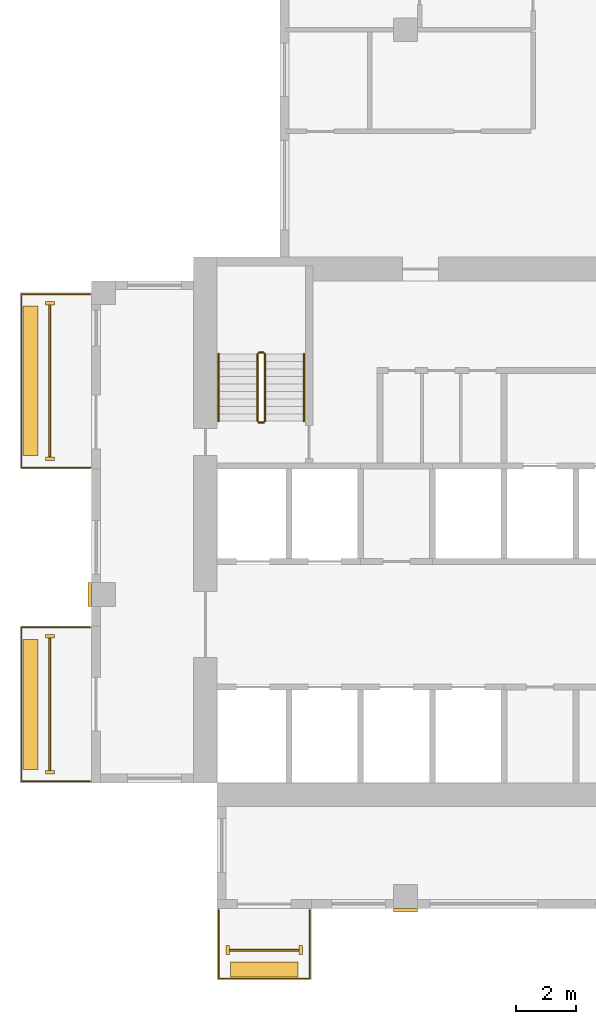
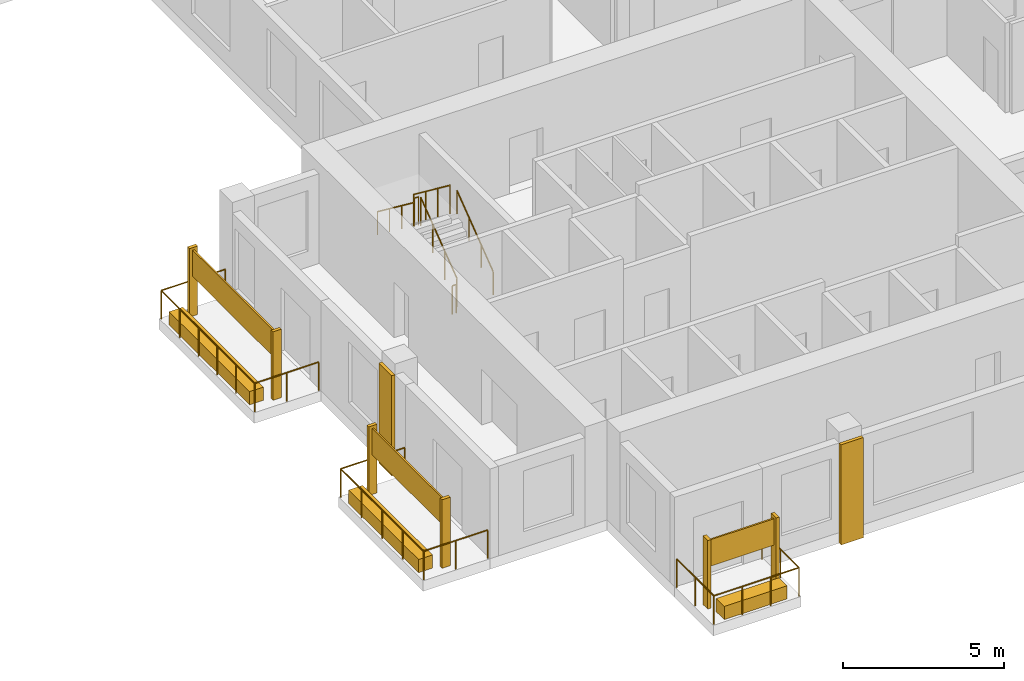
# One storey, part 9 of 11: 14 coverings, 9 railings.
"""IFC4 building model written with IfcOpenShell, lengths in metres."""

from ifc_helpers import new_model, si_unit, direction, frame, origin, origin_2d, place, context, subcontext, project, spatial, rectangle, circle, extrude, source, transform, mapped, material, type_object, element, save


model = new_model("IFC4")

# Units and contexts
model_context = context("Model", 3, precision=1e-05, world=origin(), true_north=direction((0.0, 1.0)))
body_context = subcontext(model_context, "Body", "Model", "MODEL_VIEW")
ifc_project = project(units=[si_unit("LENGTHUNIT", "METRE"), si_unit("AREAUNIT", "SQUARE_METRE"), si_unit("VOLUMEUNIT", "CUBIC_METRE"), si_unit("PLANEANGLEUNIT", "RADIAN"), si_unit("MASSUNIT", "GRAM", prefix="KILO")], contexts=[model_context])

# Site, building, storey
site_placement = place(None, origin())
site = spatial("IfcSite", under=ifc_project, at=site_placement, CompositionType="ELEMENT")
building_placement = place(site_placement, origin())
building = spatial("IfcBuilding", under=site, at=building_placement, Name="Aurelian Terraces", CompositionType="ELEMENT")
storey_placement = place(building_placement, frame((0.0, 0.0, 261.4)))
storey = spatial("IfcBuildingStorey", under=building, at=storey_placement, Name="L60", CompositionType="ELEMENT", Elevation=261.4)

# Coverings
ifc_material_1 = material(Name="Terracotta rainscreen cladding relief", Category="masonry")
covering_type_1 = type_object("IfcCoveringType", Name="FIN-TC", PredefinedType="CLADDING", material=ifc_material_1)
shared_shape_1 = source(origin(), body_context, "Body", "SweptSolid", [
    extrude(rectangle(XDim=0.3, YDim=0.12, at=origin_2d()), origin(), (0.0, 0.0, 1.0), 2.6),
])
for number, where, z_axis, x_axis, name in (
    (1, (-1.4, 20.25, 0.0), (0.0, 0.0, 1.0), (1.0, 0.0, 0.0), "FIN L60 L60-F24-37.1"),
    (2, (-1.4, 15.05, 0.0), (0.0, 0.0, 1.0), (1.0, 0.0, 0.0), "FIN L60 L60-F24-37.2"),
    (3, (-1.4, 9.1, 0.0), (0.0, 0.0, 1.0), (1.0, 0.0, 0.0), "FIN L60 L60-F24-39.1"),
    (4, (-1.4, 4.55, 0.0), (0.0, 0.0, 1.0), (1.0, 0.0, 0.0), "FIN L60 L60-F24-39.2"),
):
    element("IfcCovering", number, at=place(storey_placement, frame(where, z_axis=z_axis, x_axis=x_axis)), inside=storey, type_object=covering_type_1, Name=name, PredefinedType="CLADDING", context=body_context, shape_type="MappedRepresentation", body=[
        mapped(shared_shape_1, transform((0.0, 0.0, 0.0), scale=1.0)),
    ])
shared_shape_2 = source(origin(), body_context, "Body", "SweptSolid", [
    extrude(rectangle(XDim=0.12, YDim=0.3, at=origin_2d()), origin(), (0.0, 0.0, 1.0), 2.6),
])
for number, where, z_axis, x_axis, name in (
    (5, (4.55, -1.4, 0.0), (0.0, 0.0, 1.0), (1.0, 0.0, 0.0), "FIN L60 L60-F01-01.1"),
    (6, (7.0, -1.4, 0.0), (0.0, 0.0, 1.0), (1.0, 0.0, 0.0), "FIN L60 L60-F01-01.2"),
):
    element("IfcCovering", number, at=place(storey_placement, frame(where, z_axis=z_axis, x_axis=x_axis)), inside=storey, type_object=covering_type_1, Name=name, PredefinedType="CLADDING", context=body_context, shape_type="MappedRepresentation", body=[
        mapped(shared_shape_2, transform((0.0, 0.0, 0.0), scale=1.0)),
    ])

# Railing
ifc_material_2 = material(Name="Anodised aluminium", Category="aluminium")
railing_type_1 = type_object("IfcRailingType", Name="GUARD-1100", PredefinedType="GUARDRAIL", material=ifc_material_2)
shared_shape_3 = source(origin(), body_context, "Body", "SweptSolid", [
    extrude(circle(Radius=0.024, at=origin_2d()), frame((0.0, 0.0, 1.076), z_axis=(-1.0, 0.0, 0.0), x_axis=(0.0, -1.0, 0.0)), (0.0, 0.0, 1.0), 2.3),
    extrude(circle(Radius=0.024, at=origin_2d()), frame((-2.3, 0.0, 1.076), z_axis=(0.0, -1.0, 0.0), x_axis=(1.0, 0.0, 0.0)), (0.0, 0.0, 1.0), 5.15),
    extrude(circle(Radius=0.024, at=origin_2d()), frame((-2.3, -5.15, 1.076), z_axis=(1.0, 0.0, 0.0), x_axis=(0.0, 1.0, 0.0)), (0.0, 0.0, 1.0), 2.3),
    extrude(circle(Radius=0.021, at=origin_2d()), origin(), (0.0, 0.0, 1.0), 1.052),
    extrude(circle(Radius=0.021, at=origin_2d()), frame((-1.15, 0.0, 0.0)), (0.0, 0.0, 1.0), 1.052),
    extrude(circle(Radius=0.021, at=origin_2d()), frame((-2.3, 0.0, 0.0)), (0.0, 0.0, 1.0), 1.052),
    extrude(circle(Radius=0.021, at=origin_2d()), frame((-2.3, -1.2875, 0.0)), (0.0, 0.0, 1.0), 1.052),
    extrude(circle(Radius=0.021, at=origin_2d()), frame((-2.3, -2.575, 0.0)), (0.0, 0.0, 1.0), 1.052),
    extrude(circle(Radius=0.021, at=origin_2d()), frame((-2.3, -3.8625, 0.0)), (0.0, 0.0, 1.0), 1.052),
    extrude(circle(Radius=0.021, at=origin_2d()), frame((-2.3, -5.15, 0.0)), (0.0, 0.0, 1.0), 1.052),
    extrude(circle(Radius=0.021, at=origin_2d()), frame((-1.15, -5.15, 0.0)), (0.0, 0.0, 1.0), 1.052),
    extrude(circle(Radius=0.021, at=origin_2d()), frame((0.0, -5.15, 0.0)), (0.0, 0.0, 1.0), 1.052),
])
railing_1_placement = place(storey_placement, frame((-0.05, 9.4, 0.0)))
element("IfcRailing", 7, at=railing_1_placement, inside=storey, type_object=railing_type_1, Name="Balcony guard L60 F24.39", PredefinedType="GUARDRAIL", context=body_context, shape_type="MappedRepresentation", body=[
    mapped(shared_shape_3, transform((0.0, 0.0, 0.0), scale=1.0)),
])

# Coverings
ifc_material_3 = material(Name="Terracotta planter with planting soil", Category="masonry")
covering_type_2 = type_object("IfcCoveringType", Name="PLANTER-TROUGH", PredefinedType="USERDEFINED", material=ifc_material_3)
shared_shape_4 = source(origin(), body_context, "Body", "SweptSolid", [
    extrude(rectangle(XDim=0.5, YDim=4.35, at=origin_2d()), origin(), (0.0, 0.0, 1.0), 0.5),
])
covering_1_placement = place(storey_placement, frame((-2.05, 6.825, 0.0), z_axis=(0.0, 0.0, 1.0), x_axis=(1.0, 0.0, 0.0)))
element("IfcCovering", 8, at=covering_1_placement, inside=storey, type_object=covering_type_2, Name="PLANTER L60 L60-F24-39", ObjectType="PLANTER", PredefinedType="USERDEFINED", context=body_context, shape_type="MappedRepresentation", body=[
    mapped(shared_shape_4, transform((0.0, 0.0, 0.0), scale=1.0)),
])
ifc_material_4 = material(Name="Terracotta rainscreen cladding", Category="masonry")
covering_type_3 = type_object("IfcCoveringType", Name="SCREEN-TC", PredefinedType="CLADDING", material=ifc_material_4)
shared_shape_5 = source(origin(), body_context, "Body", "SweptSolid", [
    extrude(rectangle(XDim=0.06, YDim=4.43, at=origin_2d()), origin(), (0.0, 0.0, 1.0), 1.0),
])
covering_2_placement = place(storey_placement, frame((-1.4, 6.825, 1.5), z_axis=(0.0, 0.0, 1.0), x_axis=(1.0, 0.0, 0.0)))
element("IfcCovering", 9, at=covering_2_placement, inside=storey, type_object=covering_type_3, Name="SCREEN L60 L60-F24-39", PredefinedType="CLADDING", context=body_context, shape_type="MappedRepresentation", body=[
    mapped(shared_shape_5, transform((0.0, 0.0, 0.0), scale=1.0)),
])

# Railing
shared_shape_6 = source(origin(), body_context, "Body", "SweptSolid", [
    extrude(circle(Radius=0.024, at=origin_2d()), frame((0.0, 0.0, 1.076), z_axis=(0.0, -1.0, 0.0), x_axis=(1.0, 0.0, 0.0)), (0.0, 0.0, 1.0), 2.3),
    extrude(circle(Radius=0.024, at=origin_2d()), frame((0.0, -2.3, 1.076), z_axis=(1.0, 0.0, 0.0), x_axis=(0.0, 1.0, 0.0)), (0.0, 0.0, 1.0), 3.05),
    extrude(circle(Radius=0.024, at=origin_2d()), frame((3.05, -2.3, 1.076), z_axis=(0.0, 1.0, 0.0), x_axis=(-1.0, 0.0, 0.0)), (0.0, 0.0, 1.0), 2.3),
    extrude(circle(Radius=0.021, at=origin_2d()), origin(), (0.0, 0.0, 1.0), 1.052),
    extrude(circle(Radius=0.021, at=origin_2d()), frame((0.0, -1.15, 0.0)), (0.0, 0.0, 1.0), 1.052),
    extrude(circle(Radius=0.021, at=origin_2d()), frame((0.0, -2.3, 0.0)), (0.0, 0.0, 1.0), 1.052),
    extrude(circle(Radius=0.021, at=origin_2d()), frame((1.0167, -2.3, 0.0)), (0.0, 0.0, 1.0), 1.052),
    extrude(circle(Radius=0.021, at=origin_2d()), frame((2.0333, -2.3, 0.0)), (0.0, 0.0, 1.0), 1.052),
    extrude(circle(Radius=0.021, at=origin_2d()), frame((3.05, -2.3, 0.0)), (0.0, 0.0, 1.0), 1.052),
    extrude(circle(Radius=0.021, at=origin_2d()), frame((3.05, -1.15, 0.0)), (0.0, 0.0, 1.0), 1.052),
    extrude(circle(Radius=0.021, at=origin_2d()), frame((3.05, 0.0, 0.0)), (0.0, 0.0, 1.0), 1.052),
])
railing_2_placement = place(storey_placement, frame((4.25, -0.05, 0.0)))
element("IfcRailing", 10, at=railing_2_placement, inside=storey, type_object=railing_type_1, Name="Balcony guard L60 F01.1", PredefinedType="GUARDRAIL", context=body_context, shape_type="MappedRepresentation", body=[
    mapped(shared_shape_6, transform((0.0, 0.0, 0.0), scale=1.0)),
])

# Coverings
shared_shape_7 = source(origin(), body_context, "Body", "SweptSolid", [
    extrude(rectangle(XDim=2.25, YDim=0.5, at=origin_2d()), origin(), (0.0, 0.0, 1.0), 0.5),
])
covering_3_placement = place(storey_placement, frame((5.775, -2.05, 0.0), z_axis=(0.0, 0.0, 1.0), x_axis=(1.0, 0.0, 0.0)))
element("IfcCovering", 11, at=covering_3_placement, inside=storey, type_object=covering_type_2, Name="PLANTER L60 L60-F01-01", ObjectType="PLANTER", PredefinedType="USERDEFINED", context=body_context, shape_type="MappedRepresentation", body=[
    mapped(shared_shape_7, transform((0.0, 0.0, 0.0), scale=1.0)),
])
shared_shape_8 = source(origin(), body_context, "Body", "SweptSolid", [
    extrude(rectangle(XDim=2.33, YDim=0.06, at=origin_2d()), origin(), (0.0, 0.0, 1.0), 1.0),
])
covering_4_placement = place(storey_placement, frame((5.775, -1.4, 1.5), z_axis=(0.0, 0.0, 1.0), x_axis=(1.0, 0.0, 0.0)))
element("IfcCovering", 12, at=covering_4_placement, inside=storey, type_object=covering_type_3, Name="SCREEN L60 L60-F01-01", PredefinedType="CLADDING", context=body_context, shape_type="MappedRepresentation", body=[
    mapped(shared_shape_8, transform((0.0, 0.0, 0.0), scale=1.0)),
])
covering_type_4 = type_object("IfcCoveringType", Name="BAGUETTE-TC", PredefinedType="CLADDING", material=ifc_material_1)
shared_shape_9 = source(origin(), body_context, "Body", "SweptSolid", [
    extrude(rectangle(XDim=0.8, YDim=0.12, at=origin_2d()), origin(), (0.0, 0.0, 1.0), 3.8),
])
covering_5_placement = place(storey_placement, frame((10.5, -0.06, -0.4), z_axis=(0.0, 0.0, 1.0), x_axis=(1.0, 0.0, 0.0)))
element("IfcCovering", 13, at=covering_5_placement, inside=storey, type_object=covering_type_4, Name="BAGUETTE pier L60 1", PredefinedType="CLADDING", context=body_context, shape_type="MappedRepresentation", body=[
    mapped(shared_shape_9, transform((0.0, 0.0, 0.0), scale=1.0)),
])
shared_shape_10 = source(origin(), body_context, "Body", "SweptSolid", [
    extrude(rectangle(XDim=0.12, YDim=0.8, at=origin_2d()), origin(), (0.0, 0.0, 1.0), 3.8),
])
covering_6_placement = place(storey_placement, frame((-0.06, 10.5, -0.4), z_axis=(0.0, 0.0, 1.0), x_axis=(1.0, 0.0, 0.0)))
element("IfcCovering", 14, at=covering_6_placement, inside=storey, type_object=covering_type_4, Name="BAGUETTE pier L60 3", PredefinedType="CLADDING", context=body_context, shape_type="MappedRepresentation", body=[
    mapped(shared_shape_10, transform((0.0, 0.0, 0.0), scale=1.0)),
])

# Railing
shared_shape_11 = source(origin(), body_context, "Body", "SweptSolid", [
    extrude(circle(Radius=0.024, at=origin_2d()), frame((0.0, 0.0, 1.076), z_axis=(-1.0, 0.0, 0.0), x_axis=(0.0, -1.0, 0.0)), (0.0, 0.0, 1.0), 2.3),
    extrude(circle(Radius=0.024, at=origin_2d()), frame((-2.3, 0.0, 1.076), z_axis=(0.0, -1.0, 0.0), x_axis=(1.0, 0.0, 0.0)), (0.0, 0.0, 1.0), 5.8),
    extrude(circle(Radius=0.024, at=origin_2d()), frame((-2.3, -5.8, 1.076), z_axis=(1.0, 0.0, 0.0), x_axis=(0.0, 1.0, 0.0)), (0.0, 0.0, 1.0), 2.3),
    extrude(circle(Radius=0.021, at=origin_2d()), origin(), (0.0, 0.0, 1.0), 1.052),
    extrude(circle(Radius=0.021, at=origin_2d()), frame((-1.15, 0.0, 0.0)), (0.0, 0.0, 1.0), 1.052),
    extrude(circle(Radius=0.021, at=origin_2d()), frame((-2.3, 0.0, 0.0)), (0.0, 0.0, 1.0), 1.052),
    extrude(circle(Radius=0.021, at=origin_2d()), frame((-2.3, -1.16, 0.0)), (0.0, 0.0, 1.0), 1.052),
    extrude(circle(Radius=0.021, at=origin_2d()), frame((-2.3, -2.32, 0.0)), (0.0, 0.0, 1.0), 1.052),
    extrude(circle(Radius=0.021, at=origin_2d()), frame((-2.3, -3.48, 0.0)), (0.0, 0.0, 1.0), 1.052),
    extrude(circle(Radius=0.021, at=origin_2d()), frame((-2.3, -4.64, 0.0)), (0.0, 0.0, 1.0), 1.052),
    extrude(circle(Radius=0.021, at=origin_2d()), frame((-2.3, -5.8, 0.0)), (0.0, 0.0, 1.0), 1.052),
    extrude(circle(Radius=0.021, at=origin_2d()), frame((-1.15, -5.8, 0.0)), (0.0, 0.0, 1.0), 1.052),
    extrude(circle(Radius=0.021, at=origin_2d()), frame((0.0, -5.8, 0.0)), (0.0, 0.0, 1.0), 1.052),
])
railing_3_placement = place(storey_placement, frame((-0.05, 20.55, 0.0)))
element("IfcRailing", 15, at=railing_3_placement, inside=storey, type_object=railing_type_1, Name="Balcony guard L60 F24.37", PredefinedType="GUARDRAIL", context=body_context, shape_type="MappedRepresentation", body=[
    mapped(shared_shape_11, transform((0.0, 0.0, 0.0), scale=1.0)),
])

# Coverings
shared_shape_12 = source(origin(), body_context, "Body", "SweptSolid", [
    extrude(rectangle(XDim=0.5, YDim=5.0, at=origin_2d()), origin(), (0.0, 0.0, 1.0), 0.5),
])
covering_7_placement = place(storey_placement, frame((-2.05, 17.65, 0.0), z_axis=(0.0, 0.0, 1.0), x_axis=(1.0, 0.0, 0.0)))
element("IfcCovering", 16, at=covering_7_placement, inside=storey, type_object=covering_type_2, Name="PLANTER L60 L60-F24-37", ObjectType="PLANTER", PredefinedType="USERDEFINED", context=body_context, shape_type="MappedRepresentation", body=[
    mapped(shared_shape_12, transform((0.0, 0.0, 0.0), scale=1.0)),
])
shared_shape_13 = source(origin(), body_context, "Body", "SweptSolid", [
    extrude(rectangle(XDim=0.06, YDim=5.08, at=origin_2d()), origin(), (0.0, 0.0, 1.0), 1.0),
])
covering_8_placement = place(storey_placement, frame((-1.4, 17.65, 1.5), z_axis=(0.0, 0.0, 1.0), x_axis=(1.0, 0.0, 0.0)))
element("IfcCovering", 17, at=covering_8_placement, inside=storey, type_object=covering_type_3, Name="SCREEN L60 L60-F24-37", PredefinedType="CLADDING", context=body_context, shape_type="MappedRepresentation", body=[
    mapped(shared_shape_13, transform((0.0, 0.0, 0.0), scale=1.0)),
])

# Railings
ifc_material_5 = material(Name="Stainless steel", Category="steel")
railing_type_2 = type_object("IfcRailingType", Name="Stair guard 1100", PredefinedType="GUARDRAIL", material=ifc_material_5)
shared_shape_14 = source(origin(), body_context, "Body", "SweptSolid", [
    extrude(circle(Radius=0.024, at=origin_2d()), frame((0.0, 0.0, 1.076), z_axis=(-1.0, 0.0, 0.0), x_axis=(0.0, -1.0, 0.0)), (0.0, 0.0, 1.0), 0.15),
    extrude(circle(Radius=0.021, at=origin_2d()), origin(), (0.0, 0.0, 1.0), 1.052),
    extrude(circle(Radius=0.021, at=origin_2d()), frame((-0.15, 0.0, 0.0)), (0.0, 0.0, 1.0), 1.052),
])
for number, where, name in (
    (18, (5.75, 18.6, 1.9), "L60 S1 stair guard 2"),
    (19, (5.75, 16.25, 0.0), "L60 S1 stair guard 4"),
):
    element("IfcRailing", number, at=place(storey_placement, frame(where)), inside=storey, type_object=railing_type_2, Name=name, PredefinedType="GUARDRAIL", context=body_context, shape_type="MappedRepresentation", body=[
        mapped(shared_shape_14, transform((0.0, 0.0, 0.0), scale=1.0)),
    ])
shared_shape_15 = source(origin(), body_context, "Body", "SweptSolid", [
    extrude(circle(Radius=0.024, at=origin_2d()), frame((0.0, 0.0, 1.076), z_axis=(0.0, 0.796162194123, 0.605083267534), x_axis=(-1.0, 0.0, 0.0)), (0.0, 0.0, 1.0), 2.8261),
    extrude(circle(Radius=0.021, at=origin_2d()), origin(), (0.0, 0.0, 1.0), 1.052),
    extrude(circle(Radius=0.021, at=origin_2d()), frame((0.0, 0.75, 0.57)), (0.0, 0.0, 1.0), 1.052),
    extrude(circle(Radius=0.021, at=origin_2d()), frame((0.0, 1.5, 1.14)), (0.0, 0.0, 1.0), 1.052),
    extrude(circle(Radius=0.021, at=origin_2d()), frame((0.0, 2.25, 1.71)), (0.0, 0.0, 1.0), 1.052),
])
railing_4_placement = place(storey_placement, frame((5.8, 16.3, 0.19)))
element("IfcRailing", 20, at=railing_4_placement, inside=storey, type_object=railing_type_2, Name="L60 S1 stair guard 1", PredefinedType="GUARDRAIL", context=body_context, shape_type="MappedRepresentation", body=[
    mapped(shared_shape_15, transform((0.0, 0.0, 0.0), scale=1.0)),
])
shared_shape_16 = source(origin(), body_context, "Body", "SweptSolid", [
    extrude(circle(Radius=0.024, at=origin_2d()), frame((0.0, 0.0, 1.076), z_axis=(0.0, -0.796162194123, 0.605083267534), x_axis=(1.0, 0.0, 0.0)), (0.0, 0.0, 1.0), 2.8261),
    extrude(circle(Radius=0.021, at=origin_2d()), origin(), (0.0, 0.0, 1.0), 1.052),
    extrude(circle(Radius=0.021, at=origin_2d()), frame((0.0, -0.75, 0.57)), (0.0, 0.0, 1.0), 1.052),
    extrude(circle(Radius=0.021, at=origin_2d()), frame((0.0, -1.5, 1.14)), (0.0, 0.0, 1.0), 1.052),
    extrude(circle(Radius=0.021, at=origin_2d()), frame((0.0, -2.25, 1.71)), (0.0, 0.0, 1.0), 1.052),
])
railing_5_placement = place(storey_placement, frame((5.55, 18.55, 2.09)))
element("IfcRailing", 21, at=railing_5_placement, inside=storey, type_object=railing_type_2, Name="L60 S1 stair guard 3", PredefinedType="GUARDRAIL", context=body_context, shape_type="MappedRepresentation", body=[
    mapped(shared_shape_16, transform((0.0, 0.0, 0.0), scale=1.0)),
])
railing_type_3 = type_object("IfcRailingType", Name="Stair handrail", PredefinedType="HANDRAIL", material=ifc_material_5)
shared_shape_17 = source(origin(), body_context, "Body", "SweptSolid", [
    extrude(circle(Radius=0.024, at=origin_2d()), frame((0.0, 0.0, 0.876), z_axis=(0.0, 0.796162194123, 0.605083267534), x_axis=(-1.0, 0.0, 0.0)), (0.0, 0.0, 1.0), 2.8261),
    extrude(circle(Radius=0.021, at=origin_2d()), origin(), (0.0, 0.0, 1.0), 0.852),
    extrude(circle(Radius=0.021, at=origin_2d()), frame((0.0, 0.75, 0.57)), (0.0, 0.0, 1.0), 0.852),
    extrude(circle(Radius=0.021, at=origin_2d()), frame((0.0, 1.5, 1.14)), (0.0, 0.0, 1.0), 0.852),
    extrude(circle(Radius=0.021, at=origin_2d()), frame((0.0, 2.25, 1.71)), (0.0, 0.0, 1.0), 0.852),
])
railing_6_placement = place(storey_placement, frame((7.1, 16.3, 0.19)))
element("IfcRailing", 22, at=railing_6_placement, inside=storey, type_object=railing_type_3, Name="L60 S1 stair handrail 1", PredefinedType="HANDRAIL", context=body_context, shape_type="MappedRepresentation", body=[
    mapped(shared_shape_17, transform((0.0, 0.0, 0.0), scale=1.0)),
])
shared_shape_18 = source(origin(), body_context, "Body", "SweptSolid", [
    extrude(circle(Radius=0.024, at=origin_2d()), frame((0.0, 0.0, 0.876), z_axis=(0.0, -0.796162194123, 0.605083267534), x_axis=(1.0, 0.0, 0.0)), (0.0, 0.0, 1.0), 2.8261),
    extrude(circle(Radius=0.021, at=origin_2d()), origin(), (0.0, 0.0, 1.0), 0.852),
    extrude(circle(Radius=0.021, at=origin_2d()), frame((0.0, -0.75, 0.57)), (0.0, 0.0, 1.0), 0.852),
    extrude(circle(Radius=0.021, at=origin_2d()), frame((0.0, -1.5, 1.14)), (0.0, 0.0, 1.0), 0.852),
    extrude(circle(Radius=0.021, at=origin_2d()), frame((0.0, -2.25, 1.71)), (0.0, 0.0, 1.0), 0.852),
])
railing_7_placement = place(storey_placement, frame((4.25, 18.55, 2.09)))
element("IfcRailing", 23, at=railing_7_placement, inside=storey, type_object=railing_type_3, Name="L60 S1 stair handrail 2", PredefinedType="HANDRAIL", context=body_context, shape_type="MappedRepresentation", body=[
    mapped(shared_shape_18, transform((0.0, 0.0, 0.0), scale=1.0)),
])

save(model, "model.ifc")
